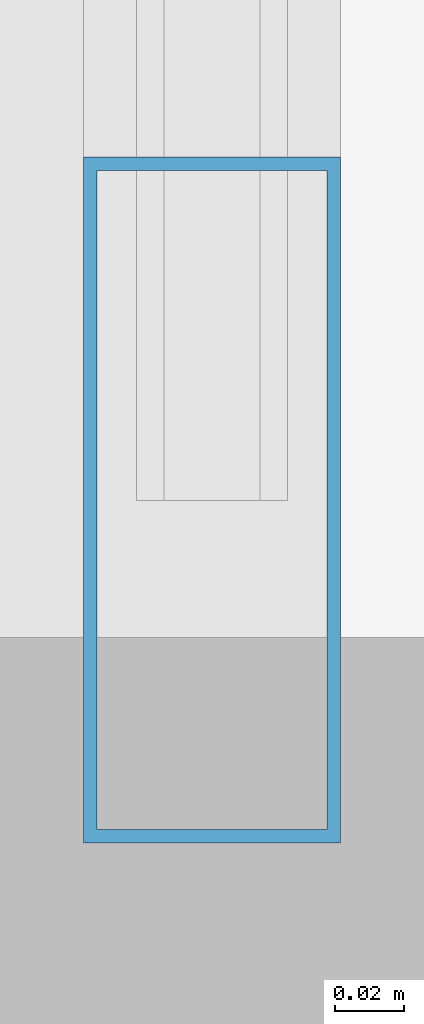
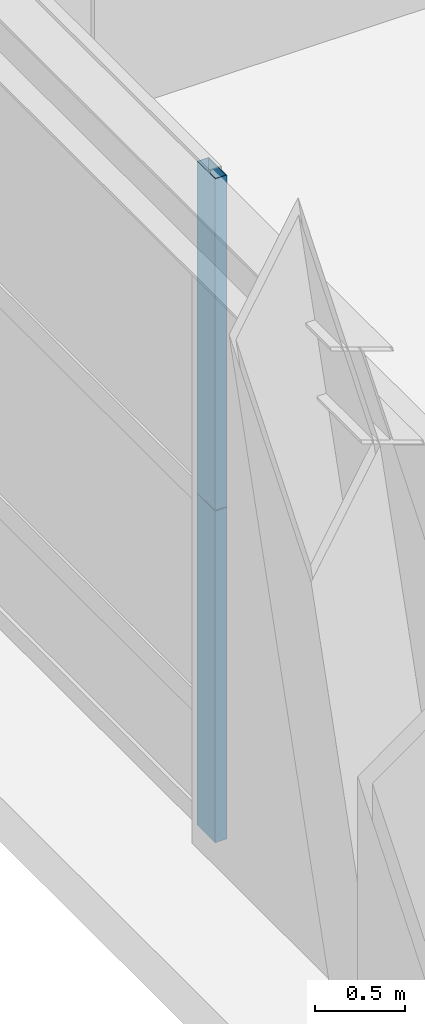
# One storey, part 6 of 34: 2 members, 1 element without a shape of its own.
"""IFC4 building model written with IfcOpenShell, lengths in metres."""

from ifc_helpers import new_model, si_unit, direction, frame, origin, origin_2d, place, context, subcontext, project, spatial, hollow_rectangle, extrude, source, transform, mapped, material, layer, layer_set, material_profile, profile_set, type_object, element, aggregate, save


model = new_model("IFC4")

# Units and contexts
model_context = context("Model", 3, precision=1e-05, world=origin(), true_north=direction((0.0, 1.0)))
body_context = subcontext(model_context, "Body", "Model", "MODEL_VIEW")
ifc_project = project(units=[si_unit("LENGTHUNIT", "METRE"), si_unit("AREAUNIT", "SQUARE_METRE"), si_unit("VOLUMEUNIT", "CUBIC_METRE"), si_unit("PLANEANGLEUNIT", "RADIAN"), si_unit("MASSUNIT", "GRAM", prefix="KILO"), si_unit("THERMODYNAMICTEMPERATUREUNIT", "KELVIN"), si_unit("POWERUNIT", "WATT")], contexts=[model_context])

# Site, building, storey
site_placement = place(None, origin())
site = spatial("IfcSite", under=ifc_project, at=site_placement, CompositionType="ELEMENT")
building_placement = place(site_placement, origin())
building = spatial("IfcBuilding", under=site, at=building_placement, Name="Yuzanri Waterfront Tower", CompositionType="ELEMENT")
storey_placement = place(building_placement, frame((0.0, 0.0, 166.800048828125)))
storey = spatial("IfcBuildingStorey", under=building, at=storey_placement, Name="L44", CompositionType="ELEMENT", Elevation=166.800048828125)

# Curtain wall, members
ifc_material_1 = material(Name="Anodized Architectural Bronze", Category="metal")
ifc_layer = layer(ifc_material_1, 0.159912109375)
ifc_layer_set = layer_set([ifc_layer], Name="Anodized Architectural Bronze")
curtain_wall_type = type_object("IfcCurtainWallType", Name="Anodized Bronze Sky-Lobby Triple-Glazed Feature Curtain Wall 7500", PredefinedType="NOTDEFINED", material=ifc_layer_set)
curtain_wall_placement = place(storey_placement, origin())
curtain_wall = element("IfcCurtainWall", 1, at=curtain_wall_placement, inside=storey, type_object=curtain_wall_type, Name="L44 Curtain Wall CW-L44-WL", PredefinedType="NOTDEFINED")
ifc_material_2 = material(Name="Anodized Architectural Bronze", Category="metal")
ifc_material_profile = material_profile(ifc_material_2, hollow_rectangle(XDim=0.074951171875, YDim=0.199951171875, WallThickness=0.00390625, at=origin_2d()), Name="CWM 75x200")
ifc_profile_set = profile_set([ifc_material_profile], Name="Anodized Architectural Bronze")
member_type = type_object("IfcMemberType", Name="Anodized Bronze Primary Curtain-Wall Mullion 75x200", PredefinedType="MULLION", material=ifc_profile_set)
shared_shape = source(origin(), body_context, "Body", "SweptSolid", [
    extrude(hollow_rectangle(XDim=0.074951171875, YDim=0.199951171875, WallThickness=0.00390625, at=origin_2d()), origin(), (0.0, 0.0, 1.0), 2.248046875),
])
member_1_placement = place(storey_placement, frame((15.050048828125, 11.090087890625, 0.0), z_axis=(0.0, 0.0, 1.0), x_axis=(1.0, 0.0, 0.0)))
member_1 = element("IfcMember", 2, at=member_1_placement, type_object=member_type, Name="CW-L44-WL Lower Mullion 00", PredefinedType="MULLION", context=body_context, shape_type="MappedRepresentation", body=[
    mapped(shared_shape, transform((0.0, 0.0, 0.0), scale=1.0)),
])
member_2_placement = place(storey_placement, frame((15.050048828125, 11.090087890625, 2.251953125), z_axis=(0.0, 0.0, 1.0), x_axis=(1.0, 0.0, 0.0)))
member_2 = element("IfcMember", 3, at=member_2_placement, type_object=member_type, Name="CW-L44-WL Upper Mullion 00", PredefinedType="MULLION", context=body_context, shape_type="MappedRepresentation", body=[
    mapped(shared_shape, transform((0.0, 0.0, 0.0), scale=1.0)),
])
aggregate(curtain_wall, [member_1, member_2])

save(model, "model.ifc")
